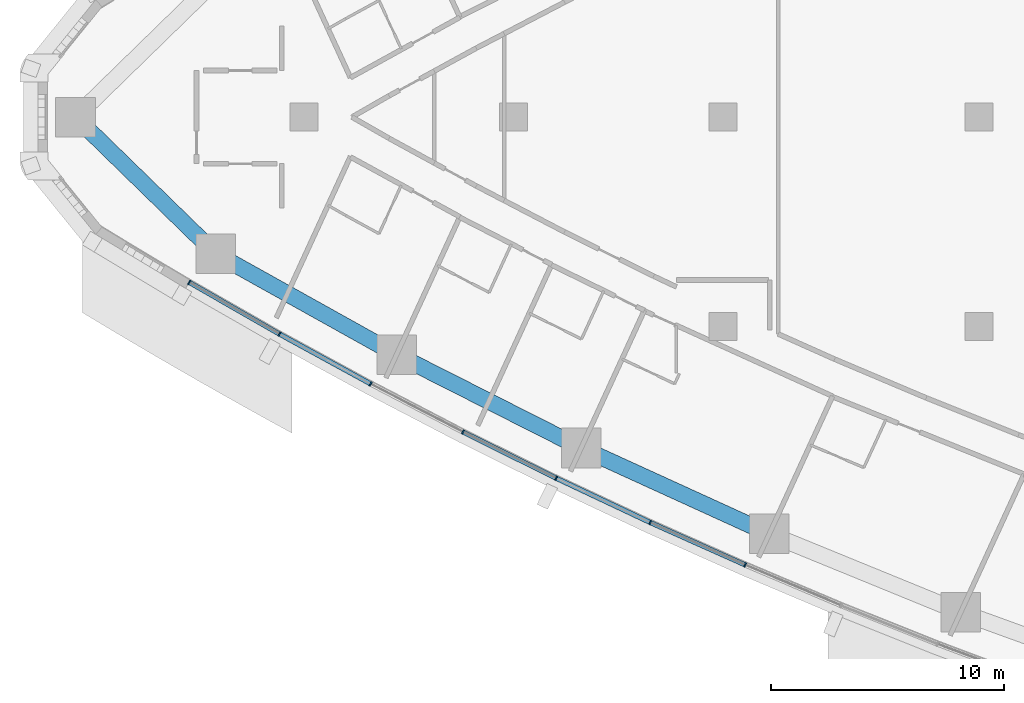
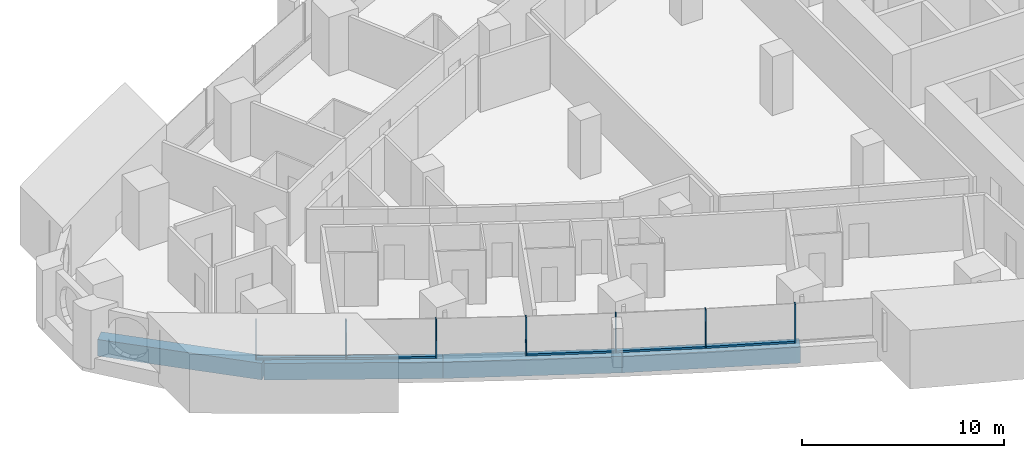
# One storey, part 2 of 17: 12 members, 4 beams, 3 elements without a shape of their own.
"""IFC4 building model written with IfcOpenShell, lengths in metres."""

from ifc_helpers import new_model, si_unit, direction, frame, origin, origin_2d, place, context, subcontext, project, spatial, rectangle, extrude, material, layer, layer_set, material_profile, profile_set, type_object, element, aggregate, save


model = new_model("IFC4")

# Units and contexts
model_context = context("Model", 3, precision=1e-05, world=origin(), true_north=direction((0.0, 1.0)))
body_context = subcontext(model_context, "Body", "Model", "MODEL_VIEW")
ifc_project = project(units=[si_unit("LENGTHUNIT", "METRE"), si_unit("AREAUNIT", "SQUARE_METRE"), si_unit("VOLUMEUNIT", "CUBIC_METRE"), si_unit("PLANEANGLEUNIT", "RADIAN"), si_unit("MASSUNIT", "GRAM", prefix="KILO")], contexts=[model_context])

# Site, building, storey
site_placement = place(None, origin())
site = spatial("IfcSite", under=ifc_project, at=site_placement, CompositionType="ELEMENT")
building_placement = place(site_placement, origin())
building = spatial("IfcBuilding", under=site, at=building_placement, Name="Ostrand Prow Hotel Tower", CompositionType="ELEMENT")
storey_placement = place(building_placement, frame((0.0, 0.0, 99.10009765625)))
storey = spatial("IfcBuildingStorey", under=building, at=storey_placement, Name="L23", CompositionType="ELEMENT", Elevation=99.10009765625)

# Beams
ifc_material_1 = material(Name="Concrete C80/95", Category="concrete")
ifc_material_profile_1 = material_profile(ifc_material_1, rectangle(XDim=0.699951171875, YDim=1.0, at=origin_2d()), Name="RC 700x1000")
ifc_profile_set_1 = profile_set([ifc_material_profile_1], Name="Concrete C80/95")
beam_type = type_object("IfcBeamType", Name="Edge beam 700x1000 C80/95", PredefinedType="SPANDREL", material=ifc_profile_set_1)
beam_1_placement = place(storey_placement, frame((6.193115234375, 0.0, -0.800048828125), z_axis=(0.716082759826, -0.698015387423, 0.0), x_axis=(0.698015387423, 0.716082759826, 0.0)))
element("IfcBeam", 1, at=beam_1_placement, inside=storey, type_object=beam_type, Name="Edge beam P-S1", PredefinedType="SPANDREL", context=body_context, shape_type="SweptSolid", body=[
    extrude(rectangle(XDim=0.699951171875, YDim=1.0, at=origin_2d()), origin(), (0.0, 0.0, 1.0), 8.41845703125),
])
beam_2_placement = place(storey_placement, frame((12.221435546875, -5.876220703125, -0.800048828125), z_axis=(0.873452439955, -0.486909473245, 0.0), x_axis=(0.486909473245, 0.873452439955, 0.0)))
element("IfcBeam", 2, at=beam_2_placement, inside=storey, type_object=beam_type, Name="Edge beam S1-S2", PredefinedType="SPANDREL", context=body_context, shape_type="SweptSolid", body=[
    extrude(rectangle(XDim=0.699951171875, YDim=1.0, at=origin_2d()), origin(), (0.0, 0.0, 1.0), 8.883544921875),
])
beam_3_placement = place(storey_placement, frame((19.980712890625, -10.20166015625, -0.800048828125), z_axis=(0.892284288592, -0.451473973039, 0.0), x_axis=(0.451473973039, 0.892284288592, 0.0)))
element("IfcBeam", 3, at=beam_3_placement, inside=storey, type_object=beam_type, Name="Edge beam S2-S3", PredefinedType="SPANDREL", context=body_context, shape_type="SweptSolid", body=[
    extrude(rectangle(XDim=0.699951171875, YDim=1.0, at=origin_2d()), origin(), (0.0, 0.0, 1.0), 8.883056640625),
])
beam_4_placement = place(storey_placement, frame((27.906982421875, -14.212158203125, -0.800048828125), z_axis=(0.909681006953, -0.415307675813, 0.0), x_axis=(0.415307675813, 0.909681006953, 0.0)))
element("IfcBeam", 4, at=beam_4_placement, inside=storey, type_object=beam_type, Name="Edge beam S3-S4", PredefinedType="SPANDREL", context=body_context, shape_type="SweptSolid", body=[
    extrude(rectangle(XDim=0.699951171875, YDim=1.0, at=origin_2d()), origin(), (0.0, 0.0, 1.0), 8.883544921875),
])

# Curtain wall, members
ifc_material_2 = material(Name="Insulated glass in bronze anodised frame", Category="glass")
ifc_layer = layer(ifc_material_2, 0.199951171875)
ifc_layer_set = layer_set([ifc_layer], Name="Insulated glass in bronze anodised frame")
curtain_wall_type = type_object("IfcCurtainWallType", Name="Strip curtain wall, fritted glass over bronze spandrel", PredefinedType="NOTDEFINED", material=ifc_layer_set)
curtain_wall_1_placement = place(storey_placement, origin())
curtain_wall_1 = element("IfcCurtainWall", 5, at=curtain_wall_1_placement, inside=storey, type_object=curtain_wall_type, Name="CW1 run CWS1", PredefinedType="NOTDEFINED")
ifc_material_3 = material(Name="Bronze anodised aluminium", Category="aluminium")
ifc_material_profile_2 = material_profile(ifc_material_3, rectangle(XDim=0.199951171875, YDim=0.06005859375, at=origin_2d()), Name="Mullion 60x200 bronze anodised aluminium")
ifc_profile_set_2 = profile_set([ifc_material_profile_2], Name="Bronze anodised aluminium")
member_type_1 = type_object("IfcMemberType", Name="Mullion 60x200 bronze anodised aluminium", PredefinedType="MULLION", material=ifc_profile_set_2)
member_1_placement = place(storey_placement, frame((11.076416015625, -7.099853515625, 0.89990234375), z_axis=(0.0, 0.0, 1.0), x_axis=(0.497114806368, 0.867684775301, 0.0)))
member_1 = element("IfcMember", 6, at=member_1_placement, type_object=member_type_1, Name="CW1 mullion 1", PredefinedType="MULLION", context=body_context, shape_type="SweptSolid", body=[
    extrude(rectangle(XDim=0.199951171875, YDim=0.06005859375, at=origin_2d()), origin(), (0.0, 0.0, 1.0), 2.35009765625),
])
member_2_placement = place(storey_placement, frame((14.951416015625, -9.320068359375, 0.89990234375), z_axis=(0.0, 0.0, 1.0), x_axis=(0.479637052103, 0.877466978439, 0.0)))
member_2 = element("IfcMember", 7, at=member_2_placement, type_object=member_type_1, Name="CW1 mullion 2", PredefinedType="MULLION", context=body_context, shape_type="SweptSolid", body=[
    extrude(rectangle(XDim=0.199951171875, YDim=0.06005859375, at=origin_2d()), origin(), (0.0, 0.0, 1.0), 2.35009765625),
])
member_3_placement = place(storey_placement, frame((18.870361328125, -11.4619140625, 0.89990234375), z_axis=(0.0, 0.0, 1.0), x_axis=(0.479637052103, 0.877466978439, 0.0)))
member_3 = element("IfcMember", 8, at=member_3_placement, type_object=member_type_1, Name="CW1 mullion 3", PredefinedType="MULLION", context=body_context, shape_type="SweptSolid", body=[
    extrude(rectangle(XDim=0.199951171875, YDim=0.06005859375, at=origin_2d()), origin(), (0.0, 0.0, 1.0), 2.35009765625),
])

curtain_wall_2_placement = place(storey_placement, origin())
curtain_wall_2 = element("IfcCurtainWall", 9, at=curtain_wall_2_placement, inside=storey, type_object=curtain_wall_type, Name="CW1 run CWS2", PredefinedType="NOTDEFINED")
member_4_placement = place(storey_placement, frame((22.831298828125, -13.525146484375, 0.89990234375), z_axis=(0.0, 0.0, 1.0), x_axis=(0.44411295748, 0.895970803653, 0.0)))
member_4 = element("IfcMember", 10, at=member_4_placement, type_object=member_type_1, Name="CW1 mullion 2", PredefinedType="MULLION", context=body_context, shape_type="SweptSolid", body=[
    extrude(rectangle(XDim=0.199951171875, YDim=0.06005859375, at=origin_2d()), origin(), (0.0, 0.0, 1.0), 2.35009765625),
])
member_5_placement = place(storey_placement, frame((26.83251953125, -15.508544921875, 0.89990234375), z_axis=(0.0, 0.0, 1.0), x_axis=(0.44411295748, 0.895970803653, 0.0)))
member_5 = element("IfcMember", 11, at=member_5_placement, type_object=member_type_1, Name="CW1 mullion 3", PredefinedType="MULLION", context=body_context, shape_type="SweptSolid", body=[
    extrude(rectangle(XDim=0.199951171875, YDim=0.06005859375, at=origin_2d()), origin(), (0.0, 0.0, 1.0), 2.35009765625),
])

curtain_wall_3_placement = place(storey_placement, origin())
curtain_wall_3 = element("IfcCurtainWall", 12, at=curtain_wall_3_placement, inside=storey, type_object=curtain_wall_type, Name="CW1 run CWS3", PredefinedType="NOTDEFINED")
member_6_placement = place(storey_placement, frame((30.872802734375, -17.41162109375, 0.89990234375), z_axis=(0.0, 0.0, 1.0), x_axis=(0.407874755419, 0.913037887435, 0.0)))
member_6 = element("IfcMember", 13, at=member_6_placement, type_object=member_type_1, Name="CW1 mullion 2", PredefinedType="MULLION", context=body_context, shape_type="SweptSolid", body=[
    extrude(rectangle(XDim=0.199951171875, YDim=0.06005859375, at=origin_2d()), origin(), (0.0, 0.0, 1.0), 2.35009765625),
])
member_7_placement = place(storey_placement, frame((34.95068359375, -19.233154296875, 0.89990234375), z_axis=(0.0, 0.0, 1.0), x_axis=(0.407874755419, 0.913037887435, 0.0)))
member_7 = element("IfcMember", 14, at=member_7_placement, type_object=member_type_1, Name="CW1 mullion 3", PredefinedType="MULLION", context=body_context, shape_type="SweptSolid", body=[
    extrude(rectangle(XDim=0.199951171875, YDim=0.06005859375, at=origin_2d()), origin(), (0.0, 0.0, 1.0), 2.35009765625),
])

# Member
ifc_material_4 = material(Name="Bronze anodised aluminium", Category="aluminium")
ifc_material_profile_3 = material_profile(ifc_material_4, rectangle(XDim=0.199951171875, YDim=0.1201171875, at=origin_2d()), Name="Transom 120x200 bronze anodised aluminium")
ifc_profile_set_3 = profile_set([ifc_material_profile_3], Name="Bronze anodised aluminium")
member_type_2 = type_object("IfcMemberType", Name="Transom 120x200 bronze anodised aluminium", PredefinedType="USERDEFINED", material=ifc_profile_set_3)
member_8_placement = place(storey_placement, frame((11.1025390625, -7.11474609375, 0.9599609375), z_axis=(0.86766970623, -0.497141107625, 0.0), x_axis=(0.497141107625, 0.86766970623, 0.0)))
member_8 = element("IfcMember", 15, at=member_8_placement, type_object=member_type_2, Name="CW1 transom 1.1", ObjectType="TRANSOM", PredefinedType="USERDEFINED", context=body_context, shape_type="SweptSolid", body=[
    extrude(rectangle(XDim=0.199951171875, YDim=0.1201171875, at=origin_2d()), origin(), (0.0, 0.0, 1.0), 4.406005859375),
])

member_9_placement = place(storey_placement, frame((14.977783203125, -9.33447265625, 0.9599609375), z_axis=(0.877471714137, -0.479628388328, 0.0), x_axis=(0.479628388328, 0.877471714137, 0.0)))
member_9 = element("IfcMember", 16, at=member_9_placement, type_object=member_type_2, Name="CW1 transom 2.1", ObjectType="TRANSOM", PredefinedType="USERDEFINED", context=body_context, shape_type="SweptSolid", body=[
    extrude(rectangle(XDim=0.199951171875, YDim=0.1201171875, at=origin_2d()), origin(), (0.0, 0.0, 1.0), 4.406005859375),
])

aggregate(curtain_wall_1, [member_1, member_2, member_3, member_8, member_9])

member_10_placement = place(storey_placement, frame((22.858154296875, -13.53857421875, 0.9599609375), z_axis=(0.895962348168, -0.444130015497, 0.0), x_axis=(0.444130015497, 0.895962348168, 0.0)))
member_10 = element("IfcMember", 17, at=member_10_placement, type_object=member_type_2, Name="CW1 transom 2.1", ObjectType="TRANSOM", PredefinedType="USERDEFINED", context=body_context, shape_type="SweptSolid", body=[
    extrude(rectangle(XDim=0.199951171875, YDim=0.1201171875, at=origin_2d()), origin(), (0.0, 0.0, 1.0), 4.406005859375),
])

aggregate(curtain_wall_2, [member_4, member_5, member_10])

member_11_placement = place(storey_placement, frame((26.859619140625, -15.521484375, 0.9599609375), z_axis=(0.904696854963, -0.42605586561, 0.0), x_axis=(0.42605586561, 0.904696854963, 0.0)))
member_11 = element("IfcMember", 18, at=member_11_placement, type_object=member_type_2, Name="CW1 transom 1.1", ObjectType="TRANSOM", PredefinedType="USERDEFINED", context=body_context, shape_type="SweptSolid", body=[
    extrude(rectangle(XDim=0.199951171875, YDim=0.1201171875, at=origin_2d()), origin(), (0.0, 0.0, 1.0), 4.406005859375),
])

member_12_placement = place(storey_placement, frame((30.900390625, -17.423583984375, 0.9599609375), z_axis=(0.913030665163, -0.407890922271, 0.0), x_axis=(0.407890922271, 0.913030665163, 0.0)))
member_12 = element("IfcMember", 19, at=member_12_placement, type_object=member_type_2, Name="CW1 transom 2.1", ObjectType="TRANSOM", PredefinedType="USERDEFINED", context=body_context, shape_type="SweptSolid", body=[
    extrude(rectangle(XDim=0.199951171875, YDim=0.1201171875, at=origin_2d()), origin(), (0.0, 0.0, 1.0), 4.40576171875),
])

aggregate(curtain_wall_3, [member_6, member_7, member_11, member_12])

save(model, "model.ifc")
